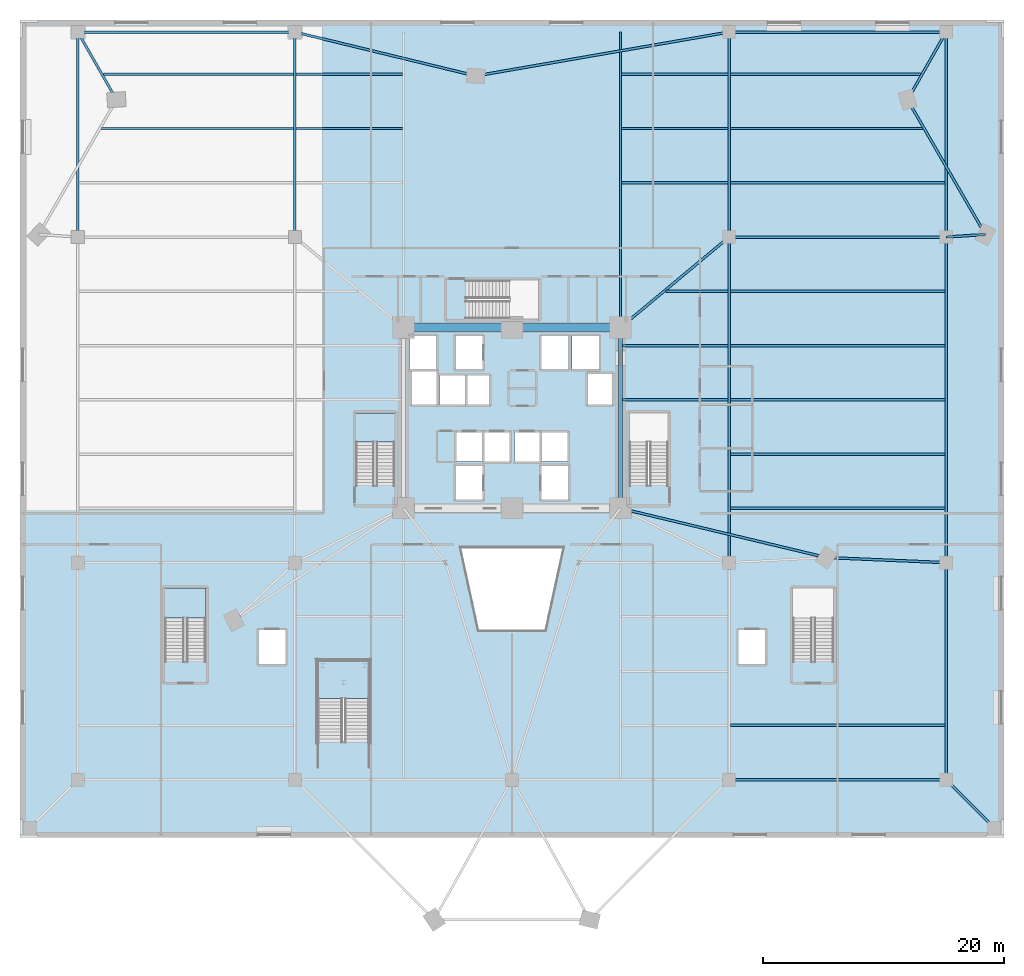
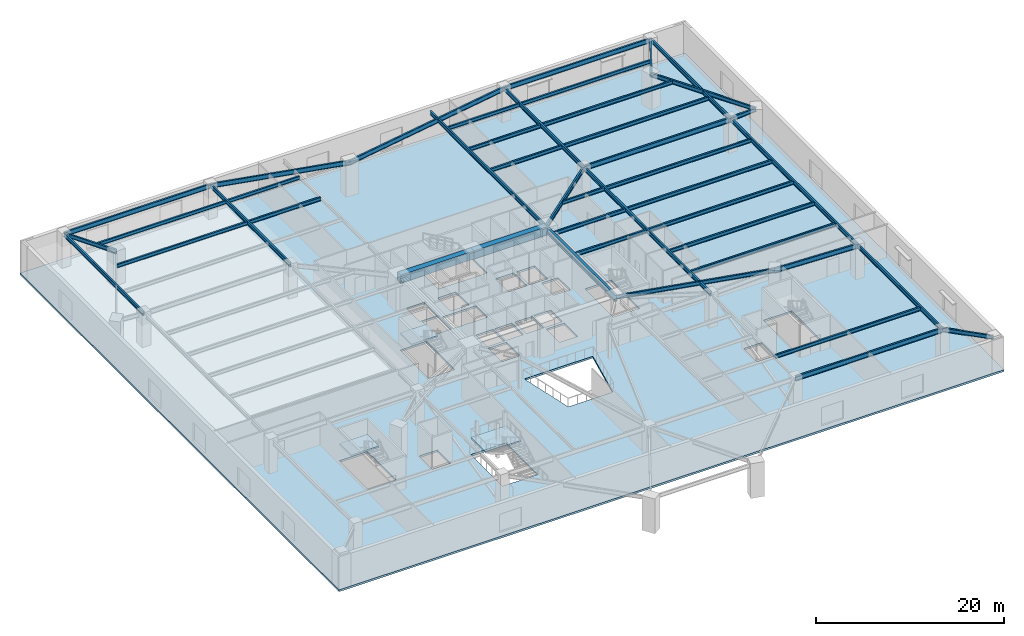
# One storey, part 4 of 16: 44 beams, 4 slabs, 3 elements without a shape of their own.
"""IFC4 building model written with IfcOpenShell, lengths in metres."""

from ifc_helpers import new_model, si_unit, direction, frame, origin, origin_2d, place, context, subcontext, project, spatial, polyline, rectangle, i_section, outline, extrude, source, transform, mapped, material, layer, layer_set, material_profile, profile_set, type_object, element, aggregate, save


model = new_model("IFC4")

# Units and contexts
model_context = context("Model", 3, precision=1e-05, world=origin(), true_north=direction((0.0, 1.0)))
body_context = subcontext(model_context, "Body", "Model", "MODEL_VIEW")
ifc_project = project(units=[si_unit("LENGTHUNIT", "METRE"), si_unit("AREAUNIT", "SQUARE_METRE"), si_unit("VOLUMEUNIT", "CUBIC_METRE"), si_unit("PLANEANGLEUNIT", "RADIAN"), si_unit("MASSUNIT", "GRAM", prefix="KILO")], contexts=[model_context])

# Site, building, storey
site_placement = place(None, origin())
site = spatial("IfcSite", under=ifc_project, at=site_placement, CompositionType="ELEMENT")
building_placement = place(site_placement, origin())
building = spatial("IfcBuilding", under=site, at=building_placement, Name="Liaohun Quay Tower", CompositionType="ELEMENT")
storey_placement = place(building_placement, frame((0.0, 0.0, 14.39990234375)))
storey = spatial("IfcBuildingStorey", under=building, at=storey_placement, Name="L04", CompositionType="ELEMENT", Elevation=14.39990234375)

# Beams
ifc_material_1 = material(Name="Concrete C60", Category="concrete")
ifc_material_profile_1 = material_profile(ifc_material_1, rectangle(XDim=0.699951171875, YDim=1.050048828125, at=origin_2d()), Name="RC700x1050")
ifc_profile_set_1 = profile_set([ifc_material_profile_1], Name="Concrete C60")
beam_type_1 = type_object("IfcBeamType", Name="BM-CPL-1", PredefinedType="LINTEL", material=ifc_profile_set_1)
shared_shape_1 = source(origin(), body_context, "Body", "SweptSolid", [
    extrude(rectangle(XDim=0.699951171875, YDim=1.050048828125, at=origin_2d()), origin(), (0.0, 0.0, 1.0), 9.0),
])
for number, where, z_axis, x_axis, name in (
    (1, (69.0, 61.5, 3.72509765625), (-1.0, 0.0, 0.0), (0.0, -1.0, 0.0), "L04 Core Coupling/Ring Beam CC4-CC5"),
    (2, (60.0, 61.5, 3.72509765625), (-1.0, 0.0, 0.0), (0.0, -1.0, 0.0), "L04 Core Coupling/Ring Beam CC5-CC6"),
):
    element("IfcBeam", number, at=place(storey_placement, frame(where, z_axis=z_axis, x_axis=x_axis)), inside=storey, type_object=beam_type_1, Name=name, PredefinedType="LINTEL", context=body_context, shape_type="MappedRepresentation", body=[
        mapped(shared_shape_1, transform((0.0, 0.0, 0.0), x_axis=(1.0, 0.0, 0.0), y_axis=(0.0, 1.0, 0.0), z_axis=(0.0, 0.0, 1.0), scale=1.0)),
    ])
ifc_material_2 = material(Name="Steel Q355D", Category="steel")
ifc_material_profile_2 = material_profile(ifc_material_2, i_section(OverallWidth=0.300048828125, OverallDepth=0.800048828125, WebThickness=0.013916015625, FlangeThickness=0.02587890625, at=origin_2d()), Name="HN800x300x14x26")
ifc_profile_set_2 = profile_set([ifc_material_profile_2], Name="Steel Q355D")
beam_type_2 = type_object("IfcBeamType", Name="BM-RAD-M1", PredefinedType="BEAM", material=ifc_profile_set_2)
shared_shape_2 = source(origin(), body_context, "Body", "SweptSolid", [
    extrude(i_section(OverallWidth=0.300048828125, OverallDepth=0.800048828125, WebThickness=0.013916015625, FlangeThickness=0.02587890625, at=origin_2d()), origin(), (0.0, 0.0, 1.0), 15.0),
])
beam_1_placement = place(storey_placement, frame((69.0, 46.5, 3.85009765625), z_axis=(0.0, 1.0, 0.0), x_axis=(-1.0, 0.0, 0.0)))
element("IfcBeam", 3, at=beam_1_placement, inside=storey, type_object=beam_type_2, Name="L04 Core Coupling/Ring Beam CC3-CC4", PredefinedType="BEAM", context=body_context, shape_type="MappedRepresentation", body=[
    mapped(shared_shape_2, transform((0.0, 0.0, 0.0), x_axis=(1.0, 0.0, 0.0), y_axis=(0.0, 1.0, 0.0), z_axis=(0.0, 0.0, 1.0), scale=1.0)),
])
ifc_material_profile_3 = material_profile(ifc_material_2, i_section(OverallWidth=0.199951171875, OverallDepth=0.5, WebThickness=0.010009765625, FlangeThickness=0.01611328125, at=origin_2d()), Name="HN500x200x10x16")
ifc_profile_set_3 = profile_set([ifc_material_profile_3], Name="Steel Q355D")
beam_type_3 = type_object("IfcBeamType", Name="BM-POD-G3", PredefinedType="BEAM", material=ifc_profile_set_3)
shared_shape_3 = source(origin(), body_context, "Body", "SweptSolid", [
    extrude(i_section(OverallWidth=0.199951171875, OverallDepth=0.5, WebThickness=0.010009765625, FlangeThickness=0.01611328125, at=origin_2d()), origin(), (0.0, 0.0, 1.0), 27.0),
])
for number, where, z_axis, x_axis, name in (
    (4, (78.0, 42.0, 4.0), (0.0, 1.0, 0.0), (-1.0, 0.0, 0.0), "L04 Primary Grid Girder PG08-PG12"),
    (5, (96.0, 42.0, 4.0), (0.0, 1.0, 0.0), (-1.0, 0.0, 0.0), "L04 Primary Grid Girder PG09-PG13"),
):
    element("IfcBeam", number, at=place(storey_placement, frame(where, z_axis=z_axis, x_axis=x_axis)), inside=storey, type_object=beam_type_3, Name=name, PredefinedType="BEAM", context=body_context, shape_type="MappedRepresentation", body=[
        mapped(shared_shape_3, transform((0.0, 0.0, 0.0), x_axis=(1.0, 0.0, 0.0), y_axis=(0.0, 1.0, 0.0), z_axis=(0.0, 0.0, 1.0), scale=1.0)),
    ])
shared_shape_4 = source(origin(), body_context, "Body", "SweptSolid", [
    extrude(i_section(OverallWidth=0.199951171875, OverallDepth=0.5, WebThickness=0.010009765625, FlangeThickness=0.01611328125, at=origin_2d()), origin(), (0.0, 0.0, 1.0), 17.0),
])
for number, where, z_axis, x_axis, name in (
    (6, (24.0, 69.0, 4.0), (0.0, 1.0, 0.0), (-1.0, 0.0, 0.0), "L04 Primary Grid Girder PG10-PG14"),
    (7, (42.0, 69.0, 4.0), (0.0, 1.0, 0.0), (-1.0, 0.0, 0.0), "L04 Primary Grid Girder PG11-PG15"),
    (8, (78.0, 69.0, 4.0), (0.0, 1.0, 0.0), (-1.0, 0.0, 0.0), "L04 Primary Grid Girder PG12-PG17"),
    (9, (96.0, 69.0, 4.0), (0.0, 1.0, 0.0), (-1.0, 0.0, 0.0), "L04 Primary Grid Girder PG13-PG18"),
):
    element("IfcBeam", number, at=place(storey_placement, frame(where, z_axis=z_axis, x_axis=x_axis)), inside=storey, type_object=beam_type_3, Name=name, PredefinedType="BEAM", context=body_context, shape_type="MappedRepresentation", body=[
        mapped(shared_shape_4, transform((0.0, 0.0, 0.0), x_axis=(1.0, 0.0, 0.0), y_axis=(0.0, 1.0, 0.0), z_axis=(0.0, 0.0, 1.0), scale=1.0)),
    ])
shared_shape_5 = source(origin(), body_context, "Body", "SweptSolid", [
    extrude(i_section(OverallWidth=0.199951171875, OverallDepth=0.5, WebThickness=0.010009765625, FlangeThickness=0.01611328125, at=origin_2d()), origin(), (0.0, 0.0, 1.0), 18.0),
])
beam_2_placement = place(storey_placement, frame((96.0, 24.0, 4.0), z_axis=(0.0, 1.0, 0.0), x_axis=(-1.0, 0.0, 0.0)))
element("IfcBeam", 10, at=beam_2_placement, inside=storey, type_object=beam_type_3, Name="L04 Primary Grid Girder PG05-PG09", PredefinedType="BEAM", context=body_context, shape_type="MappedRepresentation", body=[
    mapped(shared_shape_5, transform((0.0, 0.0, 0.0), x_axis=(1.0, 0.0, 0.0), y_axis=(0.0, 1.0, 0.0), z_axis=(0.0, 0.0, 1.0), scale=1.0)),
])
shared_shape_6 = source(origin(), body_context, "Body", "SweptSolid", [
    extrude(i_section(OverallWidth=0.199951171875, OverallDepth=0.5, WebThickness=0.010009765625, FlangeThickness=0.01611328125, at=origin_2d()), origin(), (0.0, 0.0, 1.0), 17.544189453125),
])
beam_3_placement = place(storey_placement, frame((86.06396484375, 42.423095703125, 4.0), z_axis=(-0.972625403076, 0.23237862486, 0.0), x_axis=(-0.23237862486, -0.972625403076, 0.0)))
element("IfcBeam", 11, at=beam_3_placement, inside=storey, type_object=beam_type_3, Name="L04 Primary Grid Girder PC10-CC3", PredefinedType="BEAM", context=body_context, shape_type="MappedRepresentation", body=[
    mapped(shared_shape_6, transform((0.0, 0.0, 0.0), x_axis=(1.0, 0.0, 0.0), y_axis=(0.0, 1.0, 0.0), z_axis=(0.0, 0.0, 1.0), scale=1.0)),
])
shared_shape_7 = source(origin(), body_context, "Body", "SweptSolid", [
    extrude(i_section(OverallWidth=0.199951171875, OverallDepth=0.5, WebThickness=0.010009765625, FlangeThickness=0.01611328125, at=origin_2d()), origin(), (0.0, 0.0, 1.0), 6.45703125),
])
beam_4_placement = place(storey_placement, frame((27.198974609375, 80.39111328125, 4.0), z_axis=(-0.49542619565, 0.868650035782, 0.0), x_axis=(-0.868650035782, -0.49542619565, 0.0)))
element("IfcBeam", 12, at=beam_4_placement, inside=storey, type_object=beam_type_3, Name="L04 Primary Grid Girder PC05-PG14", PredefinedType="BEAM", context=body_context, shape_type="MappedRepresentation", body=[
    mapped(shared_shape_7, transform((0.0, 0.0, 0.0), x_axis=(1.0, 0.0, 0.0), y_axis=(0.0, 1.0, 0.0), z_axis=(0.0, 0.0, 1.0), scale=1.0)),
])
shared_shape_8 = source(origin(), body_context, "Body", "SweptSolid", [
    extrude(i_section(OverallWidth=0.199951171875, OverallDepth=0.5, WebThickness=0.010009765625, FlangeThickness=0.01611328125, at=origin_2d()), origin(), (0.0, 0.0, 1.0), 6.462158203125),
])
beam_5_placement = place(storey_placement, frame((92.802978515625, 80.384033203125, 4.0), z_axis=(0.494726480393, 0.869048738333, 0.0), x_axis=(-0.869048738333, 0.494726480393, 0.0)))
element("IfcBeam", 13, at=beam_5_placement, inside=storey, type_object=beam_type_3, Name="L04 Primary Grid Girder PC07-PG18", PredefinedType="BEAM", context=body_context, shape_type="MappedRepresentation", body=[
    mapped(shared_shape_8, transform((0.0, 0.0, 0.0), x_axis=(1.0, 0.0, 0.0), y_axis=(0.0, 1.0, 0.0), z_axis=(0.0, 0.0, 1.0), scale=1.0)),
])
shared_shape_9 = source(origin(), body_context, "Body", "SweptSolid", [
    extrude(i_section(OverallWidth=0.199951171875, OverallDepth=0.5, WebThickness=0.010009765625, FlangeThickness=0.01611328125, at=origin_2d()), origin(), (0.0, 0.0, 1.0), 3.262939453125),
])
beam_6_placement = place(storey_placement, frame((99.256103515625, 69.2119140625, 4.0), z_axis=(-0.997888864182, -0.064944705264, 0.0), x_axis=(0.064944705264, -0.997888864182, 0.0)))
element("IfcBeam", 14, at=beam_6_placement, inside=storey, type_object=beam_type_3, Name="L04 Primary Grid Girder PC09-PG13", PredefinedType="BEAM", context=body_context, shape_type="MappedRepresentation", body=[
    mapped(shared_shape_9, transform((0.0, 0.0, 0.0), x_axis=(1.0, 0.0, 0.0), y_axis=(0.0, 1.0, 0.0), z_axis=(0.0, 0.0, 1.0), scale=1.0)),
])
shared_shape_10 = source(origin(), body_context, "Body", "SweptSolid", [
    extrude(i_section(OverallWidth=0.199951171875, OverallDepth=0.5, WebThickness=0.010009765625, FlangeThickness=0.01611328125, at=origin_2d()), origin(), (0.0, 0.0, 1.0), 12.90185546875),
])
beam_7_placement = place(storey_placement, frame((92.802978515625, 80.384033203125, 4.0), z_axis=(0.500168512593, -0.865928091131, 0.0), x_axis=(0.865928091131, 0.500168512593, 0.0)))
element("IfcBeam", 15, at=beam_7_placement, inside=storey, type_object=beam_type_3, Name="L04 Primary Grid Girder PC07-PC09", PredefinedType="BEAM", context=body_context, shape_type="MappedRepresentation", body=[
    mapped(shared_shape_10, transform((0.0, 0.0, 0.0), x_axis=(1.0, 0.0, 0.0), y_axis=(0.0, 1.0, 0.0), z_axis=(0.0, 0.0, 1.0), scale=1.0)),
])
shared_shape_11 = source(origin(), body_context, "Body", "SweptSolid", [
    extrude(i_section(OverallWidth=0.199951171875, OverallDepth=0.5, WebThickness=0.010009765625, FlangeThickness=0.01611328125, at=origin_2d()), origin(), (0.0, 0.0, 1.0), 5.65673828125),
])
beam_8_placement = place(storey_placement, frame((100.0, 20.0, 4.0), z_axis=(-0.707106781187, 0.707106781187, 0.0), x_axis=(-0.707106781187, -0.707106781187, 0.0)))
element("IfcBeam", 16, at=beam_8_placement, inside=storey, type_object=beam_type_3, Name="L04 Perimeter Tie Girder PT06-PG05", PredefinedType="BEAM", context=body_context, shape_type="MappedRepresentation", body=[
    mapped(shared_shape_11, transform((0.0, 0.0, 0.0), x_axis=(1.0, 0.0, 0.0), y_axis=(0.0, 1.0, 0.0), z_axis=(0.0, 0.0, 1.0), scale=1.0)),
])
ifc_material_profile_4 = material_profile(ifc_material_2, i_section(OverallWidth=0.199951171875, OverallDepth=0.449951171875, WebThickness=0.009033203125, FlangeThickness=0.013916015625, at=origin_2d()), Name="HN450x200x9x14")
ifc_profile_set_4 = profile_set([ifc_material_profile_4], Name="Steel Q355D")
beam_type_4 = type_object("IfcBeamType", Name="BM-SEC-J1", PredefinedType="JOIST", material=ifc_profile_set_4)
shared_shape_12 = source(origin(), body_context, "Body", "SweptSolid", [
    extrude(i_section(OverallWidth=0.199951171875, OverallDepth=0.449951171875, WebThickness=0.009033203125, FlangeThickness=0.013916015625, at=origin_2d()), origin(), (0.0, 0.0, 1.0), 8.7998046875),
])
for number, where, z_axis, x_axis, name in (
    (17, (42.10009765625, 78.0, 4.025146484375), (1.0, 0.0, 0.0), (0.0, 1.0, 0.0), "L04 Composite Floor Joist SJ-21"),
    (18, (42.10009765625, 82.5, 4.025146484375), (1.0, 0.0, 0.0), (0.0, 1.0, 0.0), "L04 Composite Floor Joist SJ-22"),
    (19, (69.10009765625, 73.5, 4.025146484375), (1.0, 0.0, 0.0), (0.0, 1.0, 0.0), "L04 Composite Floor Joist SJ-31"),
    (20, (69.10009765625, 78.0, 4.025146484375), (1.0, 0.0, 0.0), (0.0, 1.0, 0.0), "L04 Composite Floor Joist SJ-32"),
    (21, (69.10009765625, 82.5, 4.025146484375), (1.0, 0.0, 0.0), (0.0, 1.0, 0.0), "L04 Composite Floor Joist SJ-33"),
):
    element("IfcBeam", number, at=place(storey_placement, frame(where, z_axis=z_axis, x_axis=x_axis)), inside=storey, type_object=beam_type_4, Name=name, PredefinedType="JOIST", context=body_context, shape_type="MappedRepresentation", body=[
        mapped(shared_shape_12, transform((0.0, 0.0, 0.0), x_axis=(1.0, 0.0, 0.0), y_axis=(0.0, 1.0, 0.0), z_axis=(0.0, 0.0, 1.0), scale=1.0)),
    ])
shared_shape_13 = source(origin(), body_context, "Body", "SweptSolid", [
    extrude(i_section(OverallWidth=0.199951171875, OverallDepth=0.449951171875, WebThickness=0.009033203125, FlangeThickness=0.013916015625, at=origin_2d()), origin(), (0.0, 0.0, 1.0), 17.7998046875),
])
for number, where, z_axis, x_axis, name in (
    (22, (78.10009765625, 28.5, 4.025146484375), (1.0, 0.0, 0.0), (0.0, 1.0, 0.0), "L04 Composite Floor Joist SJ-34"),
    (23, (78.10009765625, 46.5, 4.025146484375), (1.0, 0.0, 0.0), (0.0, 1.0, 0.0), "L04 Composite Floor Joist SJ-37"),
    (24, (78.10009765625, 51.0, 4.025146484375), (1.0, 0.0, 0.0), (0.0, 1.0, 0.0), "L04 Composite Floor Joist SJ-38"),
    (25, (78.10009765625, 55.5, 4.025146484375), (1.0, 0.0, 0.0), (0.0, 1.0, 0.0), "L04 Composite Floor Joist SJ-39"),
    (26, (78.10009765625, 60.0, 4.025146484375), (1.0, 0.0, 0.0), (0.0, 1.0, 0.0), "L04 Composite Floor Joist SJ-40"),
    (27, (78.10009765625, 64.5, 4.025146484375), (1.0, 0.0, 0.0), (0.0, 1.0, 0.0), "L04 Composite Floor Joist SJ-41"),
    (28, (78.10009765625, 73.5, 4.025146484375), (1.0, 0.0, 0.0), (0.0, 1.0, 0.0), "L04 Composite Floor Joist SJ-42"),
):
    element("IfcBeam", number, at=place(storey_placement, frame(where, z_axis=z_axis, x_axis=x_axis)), inside=storey, type_object=beam_type_4, Name=name, PredefinedType="JOIST", context=body_context, shape_type="MappedRepresentation", body=[
        mapped(shared_shape_13, transform((0.0, 0.0, 0.0), x_axis=(1.0, 0.0, 0.0), y_axis=(0.0, 1.0, 0.0), z_axis=(0.0, 0.0, 1.0), scale=1.0)),
    ])
shared_shape_14 = source(origin(), body_context, "Body", "SweptSolid", [
    extrude(i_section(OverallWidth=0.199951171875, OverallDepth=0.449951171875, WebThickness=0.009033203125, FlangeThickness=0.013916015625, at=origin_2d()), origin(), (0.0, 0.0, 1.0), 15.9658203125),
])
beam_9_placement = place(storey_placement, frame((25.93408203125, 78.0, 4.025146484375), z_axis=(1.0, 0.0, 0.0), x_axis=(0.0, 1.0, 0.0)))
element("IfcBeam", 29, at=beam_9_placement, inside=storey, type_object=beam_type_4, Name="L04 Composite Floor Joist SJ-10", PredefinedType="JOIST", context=body_context, shape_type="MappedRepresentation", body=[
    mapped(shared_shape_14, transform((0.0, 0.0, 0.0), x_axis=(1.0, 0.0, 0.0), y_axis=(0.0, 1.0, 0.0), z_axis=(0.0, 0.0, 1.0), scale=1.0)),
])
shared_shape_15 = source(origin(), body_context, "Body", "SweptSolid", [
    extrude(i_section(OverallWidth=0.199951171875, OverallDepth=0.449951171875, WebThickness=0.009033203125, FlangeThickness=0.013916015625, at=origin_2d()), origin(), (0.0, 0.0, 1.0), 15.788818359375),
])
beam_10_placement = place(storey_placement, frame((26.111083984375, 82.5, 4.025146484375), z_axis=(1.0, 0.0, 0.0), x_axis=(0.0, 1.0, 0.0)))
element("IfcBeam", 30, at=beam_10_placement, inside=storey, type_object=beam_type_4, Name="L04 Composite Floor Joist SJ-11", PredefinedType="JOIST", context=body_context, shape_type="MappedRepresentation", body=[
    mapped(shared_shape_15, transform((0.0, 0.0, 0.0), x_axis=(1.0, 0.0, 0.0), y_axis=(0.0, 1.0, 0.0), z_axis=(0.0, 0.0, 1.0), scale=1.0)),
])
shared_shape_16 = source(origin(), body_context, "Body", "SweptSolid", [
    extrude(i_section(OverallWidth=0.199951171875, OverallDepth=0.449951171875, WebThickness=0.009033203125, FlangeThickness=0.013916015625, at=origin_2d()), origin(), (0.0, 0.0, 1.0), 8.75),
])
for number, where, z_axis, x_axis, name in (
    (31, (69.14990234375, 55.5, 4.025146484375), (1.0, 0.0, 0.0), (0.0, 1.0, 0.0), "L04 Composite Floor Joist SJ-28"),
    (32, (69.14990234375, 60.0, 4.025146484375), (1.0, 0.0, 0.0), (0.0, 1.0, 0.0), "L04 Composite Floor Joist SJ-29"),
):
    element("IfcBeam", number, at=place(storey_placement, frame(where, z_axis=z_axis, x_axis=x_axis)), inside=storey, type_object=beam_type_4, Name=name, PredefinedType="JOIST", context=body_context, shape_type="MappedRepresentation", body=[
        mapped(shared_shape_16, transform((0.0, 0.0, 0.0), x_axis=(1.0, 0.0, 0.0), y_axis=(0.0, 1.0, 0.0), z_axis=(0.0, 0.0, 1.0), scale=1.0)),
    ])
shared_shape_17 = source(origin(), body_context, "Body", "SweptSolid", [
    extrude(i_section(OverallWidth=0.199951171875, OverallDepth=0.449951171875, WebThickness=0.009033203125, FlangeThickness=0.013916015625, at=origin_2d()), origin(), (0.0, 0.0, 1.0), 15.96484375),
])
beam_11_placement = place(storey_placement, frame((78.10009765625, 78.0, 4.025146484375), z_axis=(1.0, 0.0, 0.0), x_axis=(0.0, 1.0, 0.0)))
element("IfcBeam", 33, at=beam_11_placement, inside=storey, type_object=beam_type_4, Name="L04 Composite Floor Joist SJ-43", PredefinedType="JOIST", context=body_context, shape_type="MappedRepresentation", body=[
    mapped(shared_shape_17, transform((0.0, 0.0, 0.0), x_axis=(1.0, 0.0, 0.0), y_axis=(0.0, 1.0, 0.0), z_axis=(0.0, 0.0, 1.0), scale=1.0)),
])
shared_shape_18 = source(origin(), body_context, "Body", "SweptSolid", [
    extrude(i_section(OverallWidth=0.199951171875, OverallDepth=0.449951171875, WebThickness=0.009033203125, FlangeThickness=0.013916015625, at=origin_2d()), origin(), (0.0, 0.0, 1.0), 15.7919921875),
])
beam_12_placement = place(storey_placement, frame((78.10009765625, 82.5, 4.025146484375), z_axis=(1.0, 0.0, 0.0), x_axis=(0.0, 1.0, 0.0)))
element("IfcBeam", 34, at=beam_12_placement, inside=storey, type_object=beam_type_4, Name="L04 Composite Floor Joist SJ-44", PredefinedType="JOIST", context=body_context, shape_type="MappedRepresentation", body=[
    mapped(shared_shape_18, transform((0.0, 0.0, 0.0), x_axis=(1.0, 0.0, 0.0), y_axis=(0.0, 1.0, 0.0), z_axis=(0.0, 0.0, 1.0), scale=1.0)),
])
ifc_material_profile_5 = material_profile(ifc_material_2, i_section(OverallWidth=0.199951171875, OverallDepth=0.60009765625, WebThickness=0.010986328125, FlangeThickness=0.01708984375, at=origin_2d()), Name="HN600x200x11x17")
ifc_profile_set_5 = profile_set([ifc_material_profile_5], Name="Steel Q355D")
beam_type_5 = type_object("IfcBeamType", Name="BM-POD-G1", PredefinedType="BEAM", material=ifc_profile_set_5)
shared_shape_19 = source(origin(), body_context, "Body", "SweptSolid", [
    extrude(i_section(OverallWidth=0.199951171875, OverallDepth=0.60009765625, WebThickness=0.010986328125, FlangeThickness=0.01708984375, at=origin_2d()), origin(), (0.0, 0.0, 1.0), 18.0),
])
for number, where, z_axis, x_axis, name in (
    (35, (78.0, 24.0, 3.9501953125), (1.0, 0.0, 0.0), (0.0, 1.0, 0.0), "L04 Primary Grid Girder PG04-PG05"),
    (36, (78.0, 69.0, 3.9501953125), (1.0, 0.0, 0.0), (0.0, 1.0, 0.0), "L04 Primary Grid Girder PG12-PG13"),
    (37, (24.0, 86.0, 3.9501953125), (1.0, 0.0, 0.0), (0.0, 1.0, 0.0), "L04 Primary Grid Girder PG14-PG15"),
    (38, (78.0, 86.0, 3.9501953125), (1.0, 0.0, 0.0), (0.0, 1.0, 0.0), "L04 Primary Grid Girder PG17-PG18"),
):
    element("IfcBeam", number, at=place(storey_placement, frame(where, z_axis=z_axis, x_axis=x_axis)), inside=storey, type_object=beam_type_5, Name=name, PredefinedType="BEAM", context=body_context, shape_type="MappedRepresentation", body=[
        mapped(shared_shape_19, transform((0.0, 0.0, 0.0), x_axis=(1.0, 0.0, 0.0), y_axis=(0.0, 1.0, 0.0), z_axis=(0.0, 0.0, 1.0), scale=1.0)),
    ])
shared_shape_20 = source(origin(), body_context, "Body", "SweptSolid", [
    extrude(i_section(OverallWidth=0.199951171875, OverallDepth=0.60009765625, WebThickness=0.010986328125, FlangeThickness=0.01708984375, at=origin_2d()), origin(), (0.0, 0.0, 1.0), 9.945068359375),
])
beam_13_placement = place(storey_placement, frame((86.06396484375, 42.423095703125, 3.9501953125), z_axis=(0.999094620033, -0.042543392219, 0.0), x_axis=(0.042543392219, 0.999094620033, 0.0)))
element("IfcBeam", 39, at=beam_13_placement, inside=storey, type_object=beam_type_5, Name="L04 Primary Grid Girder PC10-PG09", PredefinedType="BEAM", context=body_context, shape_type="MappedRepresentation", body=[
    mapped(shared_shape_20, transform((0.0, 0.0, 0.0), x_axis=(1.0, 0.0, 0.0), y_axis=(0.0, 1.0, 0.0), z_axis=(0.0, 0.0, 1.0), scale=1.0)),
])
shared_shape_21 = source(origin(), body_context, "Body", "SweptSolid", [
    extrude(i_section(OverallWidth=0.199951171875, OverallDepth=0.60009765625, WebThickness=0.010986328125, FlangeThickness=0.01708984375, at=origin_2d()), origin(), (0.0, 0.0, 1.0), 11.71533203125),
])
beam_14_placement = place(storey_placement, frame((69.0, 61.5, 3.9501953125), z_axis=(0.768221279597, 0.640184399664, 0.0), x_axis=(-0.640184399664, 0.768221279597, 0.0)))
element("IfcBeam", 40, at=beam_14_placement, inside=storey, type_object=beam_type_5, Name="L04 Primary Grid Girder CC4-PG12", PredefinedType="BEAM", context=body_context, shape_type="MappedRepresentation", body=[
    mapped(shared_shape_21, transform((0.0, 0.0, 0.0), x_axis=(1.0, 0.0, 0.0), y_axis=(0.0, 1.0, 0.0), z_axis=(0.0, 0.0, 1.0), scale=1.0)),
])
shared_shape_22 = source(origin(), body_context, "Body", "SweptSolid", [
    extrude(i_section(OverallWidth=0.199951171875, OverallDepth=0.60009765625, WebThickness=0.010986328125, FlangeThickness=0.01708984375, at=origin_2d()), origin(), (0.0, 0.0, 1.0), 15.4306640625),
])
beam_15_placement = place(storey_placement, frame((42.0, 86.0, 3.9501953125), z_axis=(0.971780133719, -0.235888473032, 0.0), x_axis=(0.235888473032, 0.971780133719, 0.0)))
element("IfcBeam", 41, at=beam_15_placement, inside=storey, type_object=beam_type_5, Name="L04 Primary Grid Girder PG15-PC06", PredefinedType="BEAM", context=body_context, shape_type="MappedRepresentation", body=[
    mapped(shared_shape_22, transform((0.0, 0.0, 0.0), x_axis=(1.0, 0.0, 0.0), y_axis=(0.0, 1.0, 0.0), z_axis=(0.0, 0.0, 1.0), scale=1.0)),
])
shared_shape_23 = source(origin(), body_context, "Body", "SweptSolid", [
    extrude(i_section(OverallWidth=0.199951171875, OverallDepth=0.60009765625, WebThickness=0.010986328125, FlangeThickness=0.01708984375, at=origin_2d()), origin(), (0.0, 0.0, 1.0), 21.31787109375),
])
beam_16_placement = place(storey_placement, frame((56.9951171875, 82.360107421875, 3.9501953125), z_axis=(0.985315548274, 0.170743287801, 0.0), x_axis=(-0.170743287801, 0.985315548274, 0.0)))
element("IfcBeam", 42, at=beam_16_placement, inside=storey, type_object=beam_type_5, Name="L04 Primary Grid Girder PC06-PG17", PredefinedType="BEAM", context=body_context, shape_type="MappedRepresentation", body=[
    mapped(shared_shape_23, transform((0.0, 0.0, 0.0), x_axis=(1.0, 0.0, 0.0), y_axis=(0.0, 1.0, 0.0), z_axis=(0.0, 0.0, 1.0), scale=1.0)),
])
shared_shape_24 = source(origin(), body_context, "Body", "SweptSolid", [
    extrude(i_section(OverallWidth=0.199951171875, OverallDepth=0.449951171875, WebThickness=0.009033203125, FlangeThickness=0.013916015625, at=origin_2d()), origin(), (0.0, 0.0, 1.0), 5.143798828125),
])
beam_17_placement = place(storey_placement, frame((72.756103515625, 64.5, 4.025146484375), z_axis=(1.0, 0.0, 0.0), x_axis=(0.0, 1.0, 0.0)))
element("IfcBeam", 43, at=beam_17_placement, inside=storey, type_object=beam_type_4, Name="L04 Composite Floor Joist SJ-30", PredefinedType="JOIST", context=body_context, shape_type="MappedRepresentation", body=[
    mapped(shared_shape_24, transform((0.0, 0.0, 0.0), x_axis=(1.0, 0.0, 0.0), y_axis=(0.0, 1.0, 0.0), z_axis=(0.0, 0.0, 1.0), scale=1.0)),
])
shared_shape_25 = source(origin(), body_context, "Body", "SweptSolid", [
    extrude(i_section(OverallWidth=0.199951171875, OverallDepth=0.5, WebThickness=0.010009765625, FlangeThickness=0.01611328125, at=origin_2d()), origin(), (0.0, 0.0, 1.0), 24.5),
])
beam_18_placement = place(storey_placement, frame((69.0, 61.5, 4.0), z_axis=(0.0, 1.0, 0.0), x_axis=(-1.0, 0.0, 0.0)))
element("IfcBeam", 44, at=beam_18_placement, inside=storey, type_object=beam_type_3, Name="L04 Spine Girder X69-N", PredefinedType="BEAM", context=body_context, shape_type="MappedRepresentation", body=[
    mapped(shared_shape_25, transform((0.0, 0.0, 0.0), x_axis=(1.0, 0.0, 0.0), y_axis=(0.0, 1.0, 0.0), z_axis=(0.0, 0.0, 1.0), scale=1.0)),
])

# Stair, slab
ifc_material_3 = material(Name="Concrete C45", Category="concrete")
stair_type_1 = type_object("IfcStairType", Name="STR-CORE-TALL", PredefinedType="HALF_TURN_STAIR", material=ifc_material_3)
stair_1_placement = place(storey_placement, origin())
stair_1 = element("IfcStair", 45, at=stair_1_placement, inside=storey, type_object=stair_type_1, Name="L04 Smokeproof Core Exit Stair ST-1", PredefinedType="HALF_TURN_STAIR")
ifc_layer_1 = layer(ifc_material_3, 0.199951171875, Name="Concrete C45", Category="concrete")
ifc_layer_set_1 = layer_set([ifc_layer_1], Name="Concrete C45")
slab_type_1 = type_object("IfcSlabType", Name="SLB-LND-200", PredefinedType="LANDING", material=ifc_layer_set_1)
slab_1_placement = place(storey_placement, frame((0.0, 0.0, 2.050048828125)))
slab_1 = element("IfcSlab", 46, at=slab_1_placement, type_object=slab_type_1, Name="ST-1 landing 1", PredefinedType="LANDING", context=body_context, shape_type="SweptSolid", body=[
    extrude(outline(polyline([(50.280029296875, 51.989990234375), (50.280029296875, 54.419921875), (47.0400390625, 54.419921875), (47.0400390625, 51.989990234375), (50.280029296875, 51.989990234375)])), origin(), (0.0, 0.0, 1.0), 0.199951171875),
])
aggregate(stair_1, [slab_1])

stair_type_2 = type_object("IfcStairType", Name="STR-POD-EXIT", PredefinedType="TWO_STRAIGHT_RUN_STAIR", material=ifc_material_3)
stair_2_placement = place(storey_placement, origin())
stair_2 = element("IfcStair", 47, at=stair_2_placement, inside=storey, type_object=stair_type_2, Name="L04 Podium Smokeproof Exit Stair ST-P1", PredefinedType="TWO_STRAIGHT_RUN_STAIR")
slab_2_placement = place(storey_placement, frame((0.0, 0.0, 2.050048828125)))
slab_2 = element("IfcSlab", 48, at=slab_2_placement, type_object=slab_type_1, Name="ST-P1 landing 1", PredefinedType="LANDING", context=body_context, shape_type="SweptSolid", body=[
    extrude(outline(polyline([(34.639892578125, 37.389892578125), (34.639892578125, 39.89990234375), (31.199951171875, 39.89990234375), (31.199951171875, 37.389892578125), (34.639892578125, 37.389892578125)])), origin(), (0.0, 0.0, 1.0), 0.199951171875),
])
aggregate(stair_2, [slab_2])

ifc_material_4 = material(Name="Precast concrete C50", Category="concrete")
stair_type_3 = type_object("IfcStairType", Name="STR-MON-ATR", PredefinedType="STRAIGHT_RUN_STAIR", material=ifc_material_4)
stair_3_placement = place(storey_placement, origin())
stair_3 = element("IfcStair", 49, at=stair_3_placement, inside=storey, type_object=stair_type_3, Name="L04 Monumental Atrium Feature Stair ST-A", PredefinedType="STRAIGHT_RUN_STAIR")
slab_3_placement = place(storey_placement, frame((0.0, 0.0, 2.050048828125)))
slab_3 = element("IfcSlab", 50, at=slab_3_placement, type_object=slab_type_1, Name="ST-A landing 1", PredefinedType="LANDING", context=body_context, shape_type="SweptSolid", body=[
    extrude(outline(polyline([(48.199951171875, 30.739990234375), (48.199951171875, 33.89990234375), (43.860107421875, 33.89990234375), (43.860107421875, 30.739990234375), (48.199951171875, 30.739990234375)])), origin(), (0.0, 0.0, 1.0), 0.199951171875),
])
aggregate(stair_3, [slab_3])

# Slab
ifc_layer_2 = layer(ifc_material_3, 0.25, Name="Concrete C45", Category="concrete")
ifc_layer_set_2 = layer_set([ifc_layer_2], Name="Concrete C45")
slab_type_2 = type_object("IfcSlabType", Name="SLB-POD-250", PredefinedType="FLOOR", material=ifc_layer_set_2)
slab_4_placement = place(storey_placement, frame((0.0, 0.0, -0.25)))
element("IfcSlab", 51, at=slab_4_placement, inside=storey, type_object=slab_type_2, Name="L04 Structural Floor Slab", PredefinedType="FLOOR", context=body_context, shape_type="SweptSolid", body=[
    extrude(outline(polyline([(19.199951171875, 19.199951171875), (100.800048828125, 19.199951171875), (100.800048828125, 87.0), (19.199951171875, 87.0), (19.199951171875, 19.199951171875)]), holes=[polyline([(48.199951171875, 33.89990234375), (43.860107421875, 33.89990234375), (43.860107421875, 27.159912109375), (48.199951171875, 27.159912109375), (48.199951171875, 33.89990234375)]), polyline([(41.2099609375, 33.590087890625), (41.2099609375, 36.409912109375), (38.989990234375, 36.409912109375), (38.989990234375, 33.590087890625), (41.2099609375, 33.590087890625)]), polyline([(34.639892578125, 39.89990234375), (31.199951171875, 39.89990234375), (31.199951171875, 33.81005859375), (34.639892578125, 33.81005859375), (34.639892578125, 39.89990234375)]), polyline([(55.340087890625, 47.2099609375), (57.56005859375, 47.2099609375), (57.56005859375, 50.030029296875), (55.340087890625, 50.030029296875), (55.340087890625, 47.2099609375)]), polyline([(50.280029296875, 48.409912109375), (50.280029296875, 54.419921875), (47.0400390625, 54.419921875), (47.0400390625, 48.409912109375), (50.280029296875, 48.409912109375)]), polyline([(57.510009765625, 50.389892578125), (57.510009765625, 52.81005859375), (55.389892578125, 52.81005859375), (55.389892578125, 50.389892578125), (57.510009765625, 50.389892578125)]), polyline([(57.68994140625, 50.389892578125), (59.81005859375, 50.389892578125), (59.81005859375, 52.81005859375), (57.68994140625, 52.81005859375), (57.68994140625, 50.389892578125)]), polyline([(53.989990234375, 55.090087890625), (58.110107421875, 55.090087890625), (58.110107421875, 57.510009765625), (53.989990234375, 57.510009765625), (53.989990234375, 55.090087890625)]), polyline([(51.7099609375, 55.090087890625), (53.760009765625, 55.090087890625), (53.760009765625, 57.909912109375), (51.7099609375, 57.909912109375), (51.7099609375, 55.090087890625)]), polyline([(51.489990234375, 58.0400390625), (53.7099609375, 58.0400390625), (53.7099609375, 60.7900390625), (51.489990234375, 60.7900390625), (51.489990234375, 58.0400390625)]), polyline([(57.56005859375, 58.0400390625), (57.56005859375, 60.7900390625), (55.340087890625, 60.7900390625), (55.340087890625, 58.0400390625), (57.56005859375, 58.0400390625)]), polyline([(78.7900390625, 33.590087890625), (81.010009765625, 33.590087890625), (81.010009765625, 36.409912109375), (78.7900390625, 36.409912109375), (78.7900390625, 33.590087890625)]), polyline([(86.699951171875, 33.81005859375), (86.699951171875, 39.89990234375), (83.260009765625, 39.89990234375), (83.260009765625, 33.81005859375), (86.699951171875, 33.81005859375)]), polyline([(62.72998046875, 36.39990234375), (64.199951171875, 43.199951171875), (55.800048828125, 43.199951171875), (57.27001953125, 36.39990234375), (62.72998046875, 36.39990234375)]), polyline([(62.43994140625, 47.2099609375), (64.659912109375, 47.2099609375), (64.659912109375, 50.030029296875), (62.43994140625, 50.030029296875), (62.43994140625, 47.2099609375)]), polyline([(72.9599609375, 48.409912109375), (72.9599609375, 54.419921875), (69.719970703125, 54.419921875), (69.719970703125, 48.409912109375), (72.9599609375, 48.409912109375)]), polyline([(62.31005859375, 50.389892578125), (62.31005859375, 52.81005859375), (60.18994140625, 52.81005859375), (60.18994140625, 50.389892578125), (62.31005859375, 50.389892578125)]), polyline([(62.489990234375, 50.389892578125), (64.610107421875, 50.389892578125), (64.610107421875, 52.81005859375), (62.489990234375, 52.81005859375), (62.489990234375, 50.389892578125)]), polyline([(66.2900390625, 55.090087890625), (68.2900390625, 55.090087890625), (68.2900390625, 57.659912109375), (66.2900390625, 57.659912109375), (66.2900390625, 55.090087890625)]), polyline([(64.659912109375, 58.0400390625), (64.659912109375, 60.7900390625), (62.43994140625, 60.7900390625), (62.43994140625, 58.0400390625), (64.659912109375, 58.0400390625)]), polyline([(64.989990234375, 58.0400390625), (67.2099609375, 58.0400390625), (67.2099609375, 60.7900390625), (64.989990234375, 60.7900390625), (64.989990234375, 58.0400390625)]), polyline([(56.2099609375, 62.199951171875), (62.219970703125, 62.199951171875), (62.219970703125, 65.43994140625), (56.2099609375, 65.43994140625), (56.2099609375, 62.199951171875)])]), origin(), (0.0, 0.0, 1.0), 0.25),
])

save(model, "model.ifc")
